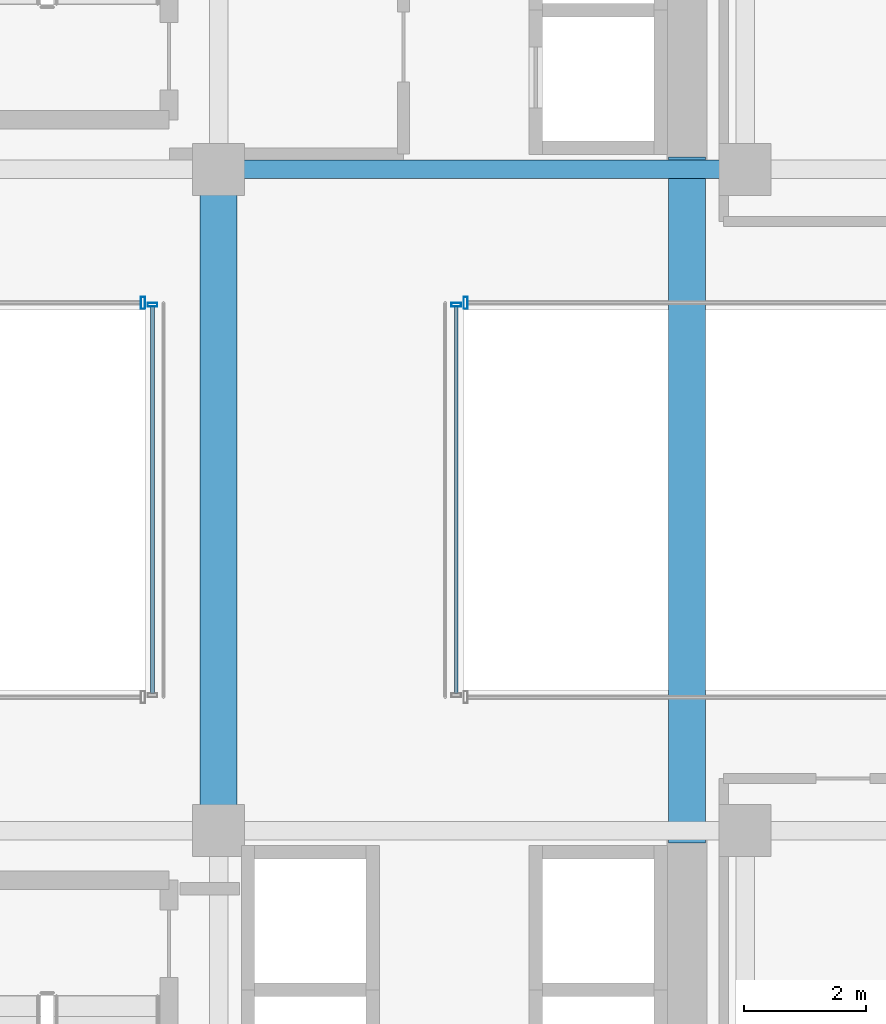
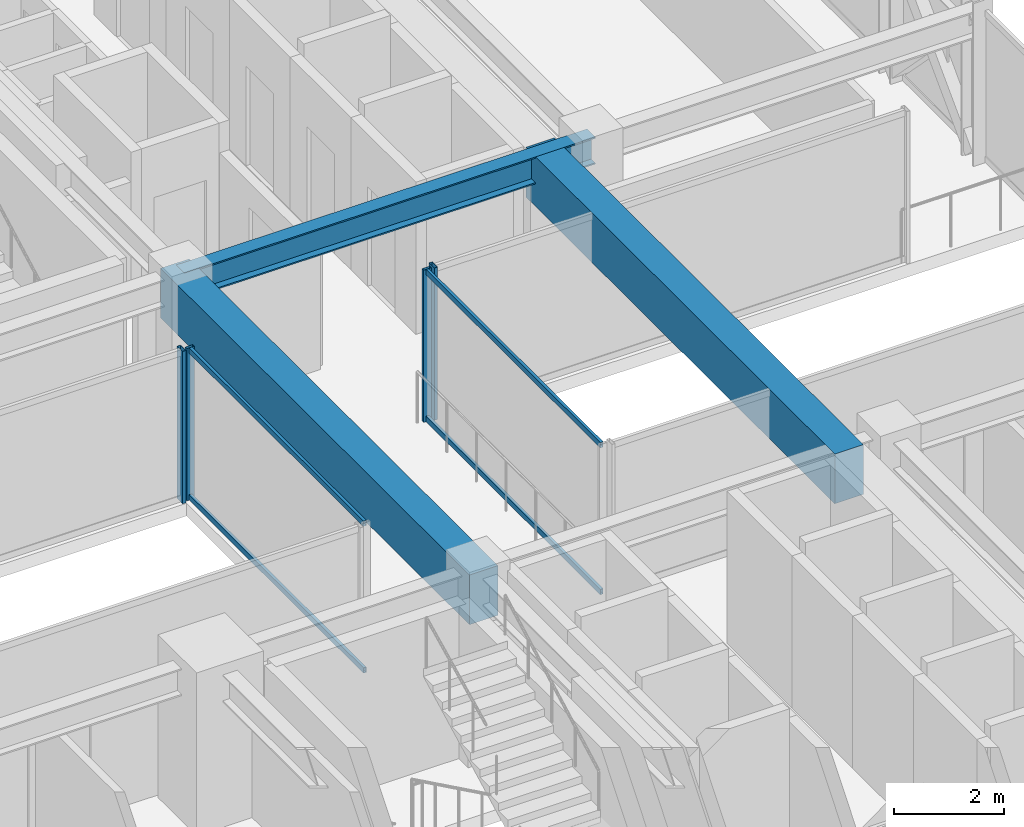
# One storey, part 20 of 41: 8 members, 3 beams, 4 elements without a shape of their own.
"""IFC4 building model written with IfcOpenShell, lengths in metres."""

from ifc_helpers import new_model, si_unit, direction, frame, origin, origin_2d, place, context, subcontext, project, spatial, rectangle, hollow_rectangle, i_section, extrude, source, transform, mapped, material, material_profile, profile_set, type_object, element, aggregate, save


model = new_model("IFC4")

# Units and contexts
model_context = context("Model", 3, precision=1e-05, world=origin(), true_north=direction((0.0, 1.0)))
body_context = subcontext(model_context, "Body", "Model", "MODEL_VIEW")
ifc_project = project(units=[si_unit("LENGTHUNIT", "METRE"), si_unit("AREAUNIT", "SQUARE_METRE"), si_unit("VOLUMEUNIT", "CUBIC_METRE"), si_unit("PLANEANGLEUNIT", "RADIAN"), si_unit("MASSUNIT", "GRAM", prefix="KILO")], contexts=[model_context])

# Site, building, storey
site_placement = place(None, origin())
site = spatial("IfcSite", under=ifc_project, at=site_placement, CompositionType="ELEMENT")
building_placement = place(site_placement, origin())
building = spatial("IfcBuilding", under=site, at=building_placement, Name="Nahalor Promenade Grand Hotel", CompositionType="ELEMENT")
storey_placement = place(building_placement, frame((0.0, 0.0, 54.300048828125)))
storey = spatial("IfcBuildingStorey", under=building, at=storey_placement, Name="L12", CompositionType="ELEMENT", Elevation=54.300048828125)

# Beams
ifc_material_1 = material(Name="Concrete B-60 (C50/60)", Category="concrete")
ifc_material_profile_1 = material_profile(ifc_material_1, rectangle(XDim=0.6, YDim=1.1, at=origin_2d()), Name="RC 600x1100")
ifc_profile_set_1 = profile_set([ifc_material_profile_1], Name="Concrete B-60 (C50/60)")
beam_type_1 = type_object("IfcBeamType", Name="Beam-Lintel-RC1100", PredefinedType="LINTEL", material=ifc_profile_set_1)
shared_shape_1 = source(origin(), body_context, "Body", "SweptSolid", [
    extrude(rectangle(XDim=0.6, YDim=1.1, at=origin_2d()), origin(), (0.0, 0.0, 1.0), 11.2001953125),
])
for number, where, z_axis, x_axis, name in (
    (1, (8.39990234375, -5.60009765625, 2.820068359375), (0.0, 1.0, 0.0), (-1.0, 0.0, 0.0), "BM-L12-LINT-W"),
    (2, (16.050048828125, -5.60009765625, 2.820068359375), (0.0, 1.0, 0.0), (-1.0, 0.0, 0.0), "BM-L12-LINT-E"),
):
    element("IfcBeam", number, at=place(storey_placement, frame(where, z_axis=z_axis, x_axis=x_axis)), inside=storey, type_object=beam_type_1, Name=name, PredefinedType="LINTEL", context=body_context, shape_type="MappedRepresentation", body=[
        mapped(shared_shape_1, transform((0.0, 0.0, 0.0), scale=1.0)),
    ])
ifc_material_2 = material(Name="Steel S355JR", Category="steel")
ifc_material_profile_2 = material_profile(ifc_material_2, i_section(OverallWidth=0.3, OverallDepth=0.6, WebThickness=0.0155, FlangeThickness=0.03, at=origin_2d()), Name="HEB 600")
ifc_profile_set_2 = profile_set([ifc_material_profile_2], Name="Steel S355JR")
beam_type_2 = type_object("IfcBeamType", Name="Beam-Girder-HEB600", PredefinedType="BEAM", material=ifc_profile_set_2)
shared_shape_2 = source(origin(), body_context, "Body", "SweptSolid", [
    extrude(i_section(OverallWidth=0.3, OverallDepth=0.6, WebThickness=0.0155, FlangeThickness=0.03, at=origin_2d()), origin(), (0.0, 0.0, 1.0), 8.60009765625),
])
beam_placement = place(storey_placement, frame((8.39990234375, 5.39990234375, 3.070068359375), z_axis=(1.0, 0.0, 0.0), x_axis=(0.0, 1.0, 0.0)))
element("IfcBeam", 3, at=beam_placement, inside=storey, type_object=beam_type_2, Name="BM-L12-GX-2-5", PredefinedType="BEAM", context=body_context, shape_type="MappedRepresentation", body=[
    mapped(shared_shape_2, transform((0.0, 0.0, 0.0), scale=1.0)),
])

# Curtain wall, member
ifc_material_3 = material(Name="Anodised Bronze Aluminium EN AW-6063 T6", Category="aluminium")
curtain_wall_type_1 = type_object("IfcCurtainWallType", Name="CW3 Elliptical-Void Collar Unitised Curtain Wall", PredefinedType="USERDEFINED", material=ifc_material_3)
curtain_wall_1_placement = place(storey_placement, origin())
curtain_wall_1 = element("IfcCurtainWall", 4, at=curtain_wall_1_placement, inside=storey, type_object=curtain_wall_type_1, Name="L12 Curtain Wall CW-L12-VOID-WN1", ObjectType="UNITISED_CURTAIN_WALL", PredefinedType="USERDEFINED")
ifc_material_profile_3 = material_profile(ifc_material_3, hollow_rectangle(XDim=0.07, YDim=0.2, WallThickness=0.005, at=origin_2d()), Name="CWM 70x200x5")
ifc_profile_set_3 = profile_set([ifc_material_profile_3], Name="Anodised Bronze Aluminium EN AW-6063 T6")
member_type_1 = type_object("IfcMemberType", Name="CWM3 Void Collar Mullion 70x200", PredefinedType="MULLION", material=ifc_profile_set_3)
shared_shape_3 = source(origin(), body_context, "Body", "SweptSolid", [
    extrude(hollow_rectangle(XDim=0.07, YDim=0.2, WallThickness=0.005, at=origin_2d()), origin(), (0.0, 0.0, 1.0), 3.369873046875),
])
member_1_placement = place(storey_placement, frame((7.1650390625, 3.219970703125, 0.0), z_axis=(0.0, 0.0, 1.0), x_axis=(1.0, 0.0, 0.0)))
member_1 = element("IfcMember", 5, at=member_1_placement, type_object=member_type_1, Name="CW-L12-VOID-WN1 Mullion 3", PredefinedType="MULLION", context=body_context, shape_type="MappedRepresentation", body=[
    mapped(shared_shape_3, transform((0.0, 0.0, 0.0), scale=1.0)),
])
aggregate(curtain_wall_1, [member_1])

curtain_wall_2_placement = place(storey_placement, origin())
curtain_wall_2 = element("IfcCurtainWall", 6, at=curtain_wall_2_placement, inside=storey, type_object=curtain_wall_type_1, Name="L12 Curtain Wall CW-L12-VOID-EN1", ObjectType="UNITISED_CURTAIN_WALL", PredefinedType="USERDEFINED")
member_2_placement = place(storey_placement, frame((12.43505859375, 3.219970703125, 0.0), z_axis=(0.0, 0.0, 1.0), x_axis=(1.0, 0.0, 0.0)))
member_2 = element("IfcMember", 7, at=member_2_placement, type_object=member_type_1, Name="CW-L12-VOID-EN1 Mullion 0", PredefinedType="MULLION", context=body_context, shape_type="MappedRepresentation", body=[
    mapped(shared_shape_3, transform((0.0, 0.0, 0.0), scale=1.0)),
])
aggregate(curtain_wall_2, [member_2])

curtain_wall_type_2 = type_object("IfcCurtainWallType", Name="CW4 Low-Iron Sky-Gallery Bridge Curtain Wall", PredefinedType="USERDEFINED", material=ifc_material_3)
curtain_wall_3_placement = place(storey_placement, origin())
curtain_wall_3 = element("IfcCurtainWall", 8, at=curtain_wall_3_placement, inside=storey, type_object=curtain_wall_type_2, Name="L12 Curtain Wall CW-L12-BRG-W", ObjectType="UNITISED_CURTAIN_WALL", PredefinedType="USERDEFINED")
ifc_material_profile_4 = material_profile(ifc_material_3, hollow_rectangle(XDim=0.06, YDim=0.16, WallThickness=0.004, at=origin_2d()), Name="CWM 60x160x4")
ifc_profile_set_4 = profile_set([ifc_material_profile_4], Name="Anodised Bronze Aluminium EN AW-6063 T6")
member_type_2 = type_object("IfcMemberType", Name="CWM4 Sky-Gallery Slim Mullion 60x160", PredefinedType="MULLION", material=ifc_profile_set_4)
shared_shape_4 = source(origin(), body_context, "Body", "SweptSolid", [
    extrude(hollow_rectangle(XDim=0.06, YDim=0.16, WallThickness=0.004, at=origin_2d()), origin(), (0.0, 0.0, 1.0), 3.369873046875),
])
member_3_placement = place(storey_placement, frame((7.320068359375, 3.18994140625, 0.0), z_axis=(0.0, 0.0, 1.0), x_axis=(0.0, 1.0, 0.0)))
member_3 = element("IfcMember", 9, at=member_3_placement, type_object=member_type_2, Name="CW-L12-BRG-W Mullion 1", PredefinedType="MULLION", context=body_context, shape_type="MappedRepresentation", body=[
    mapped(shared_shape_4, transform((0.0, 0.0, 0.0), scale=1.0)),
])

curtain_wall_4_placement = place(storey_placement, origin())
curtain_wall_4 = element("IfcCurtainWall", 10, at=curtain_wall_4_placement, inside=storey, type_object=curtain_wall_type_2, Name="L12 Curtain Wall CW-L12-BRG-E", ObjectType="UNITISED_CURTAIN_WALL", PredefinedType="USERDEFINED")
member_4_placement = place(storey_placement, frame((12.280029296875, 3.18994140625, 0.0), z_axis=(0.0, 0.0, 1.0), x_axis=(0.0, 1.0, 0.0)))
member_4 = element("IfcMember", 11, at=member_4_placement, type_object=member_type_2, Name="CW-L12-BRG-E Mullion 1", PredefinedType="MULLION", context=body_context, shape_type="MappedRepresentation", body=[
    mapped(shared_shape_4, transform((0.0, 0.0, 0.0), scale=1.0)),
])

# Member
ifc_material_profile_5 = material_profile(ifc_material_3, hollow_rectangle(XDim=0.06, YDim=0.12, WallThickness=0.004, at=origin_2d()), Name="CWT 60x120x4")
ifc_profile_set_5 = profile_set([ifc_material_profile_5], Name="Anodised Bronze Aluminium EN AW-6063 T6")
member_type_3 = type_object("IfcMemberType", Name="CWT4 Sky-Gallery Slim Transom 60x120", PredefinedType="USERDEFINED", material=ifc_profile_set_5)
shared_shape_5 = source(origin(), body_context, "Body", "SweptSolid", [
    extrude(hollow_rectangle(XDim=0.06, YDim=0.12, WallThickness=0.004, at=origin_2d()), origin(), (0.0, 0.0, 1.0), 6.31982421875),
])
member_5_placement = place(storey_placement, frame((7.320068359375, -3.159912109375, 0.06005859375), z_axis=(0.0, 1.0, 0.0), x_axis=(-1.0, 0.0, 0.0)))
member_5 = element("IfcMember", 12, at=member_5_placement, type_object=member_type_3, Name="CW-L12-BRG-W Transom 0-0", ObjectType="TRANSOM", PredefinedType="USERDEFINED", context=body_context, shape_type="MappedRepresentation", body=[
    mapped(shared_shape_5, transform((0.0, 0.0, 0.0), scale=1.0)),
])

member_6_placement = place(storey_placement, frame((7.320068359375, -3.159912109375, 3.31005859375), z_axis=(0.0, 1.0, 0.0), x_axis=(-1.0, 0.0, 0.0)))
member_6 = element("IfcMember", 13, at=member_6_placement, type_object=member_type_3, Name="CW-L12-BRG-W Transom 0-1", ObjectType="TRANSOM", PredefinedType="USERDEFINED", context=body_context, shape_type="MappedRepresentation", body=[
    mapped(shared_shape_5, transform((0.0, 0.0, 0.0), scale=1.0)),
])

aggregate(curtain_wall_3, [member_3, member_5, member_6])

member_7_placement = place(storey_placement, frame((12.280029296875, -3.159912109375, 0.06005859375), z_axis=(0.0, 1.0, 0.0), x_axis=(-1.0, 0.0, 0.0)))
member_7 = element("IfcMember", 14, at=member_7_placement, type_object=member_type_3, Name="CW-L12-BRG-E Transom 0-0", ObjectType="TRANSOM", PredefinedType="USERDEFINED", context=body_context, shape_type="MappedRepresentation", body=[
    mapped(shared_shape_5, transform((0.0, 0.0, 0.0), scale=1.0)),
])

member_8_placement = place(storey_placement, frame((12.280029296875, -3.159912109375, 3.31005859375), z_axis=(0.0, 1.0, 0.0), x_axis=(-1.0, 0.0, 0.0)))
member_8 = element("IfcMember", 15, at=member_8_placement, type_object=member_type_3, Name="CW-L12-BRG-E Transom 0-1", ObjectType="TRANSOM", PredefinedType="USERDEFINED", context=body_context, shape_type="MappedRepresentation", body=[
    mapped(shared_shape_5, transform((0.0, 0.0, 0.0), scale=1.0)),
])

aggregate(curtain_wall_4, [member_4, member_7, member_8])

save(model, "model.ifc")
